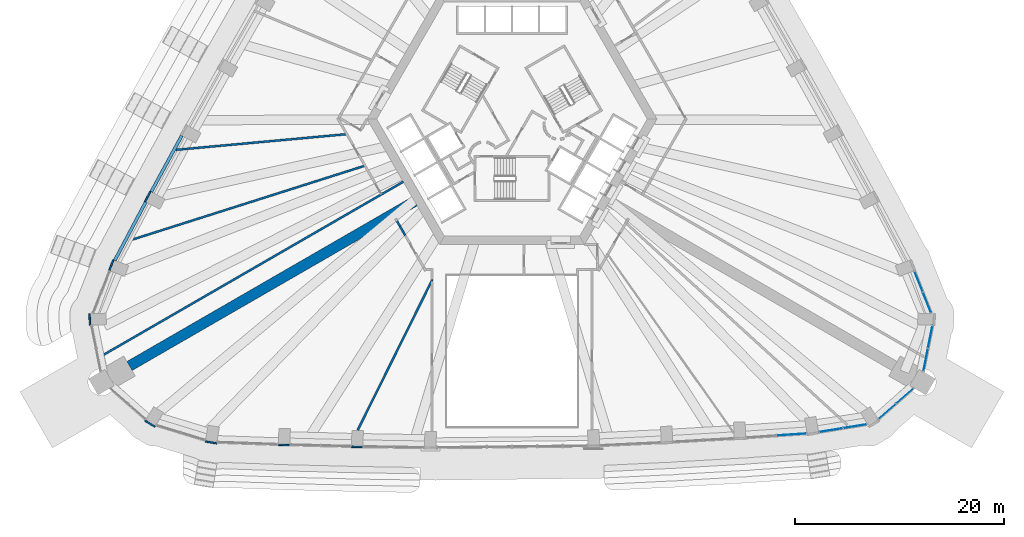
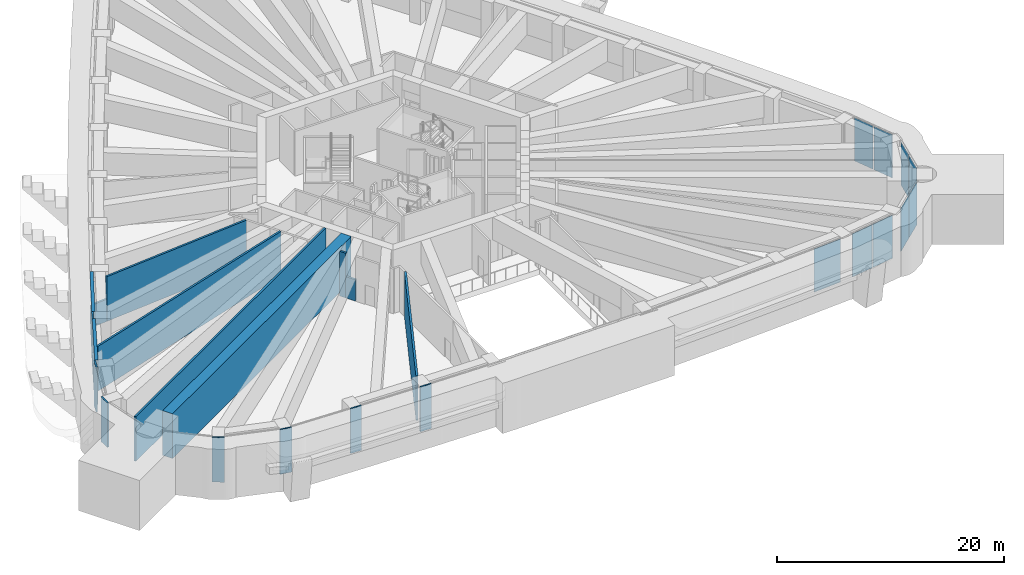
# One storey, part 8 of 22: 19 walls, 9 plates, 5 elements without a shape of their own.
"""IFC4 building model written with IfcOpenShell, lengths in metres."""

import ifcopenshell
import ifcopenshell.guid

model = None  # the IFC model being written
_history = None  # IfcOwnerHistory: only IFC2X3 demands one
_inside = {}  # id of a spatial element -> (the spatial element, [elements in it])
_under = {}  # id of a project, library or spatial element -> (it, [spatial elements below it])
_declared = {}  # id of a project -> (the project, [libraries it declares])
_typed = {}  # id of a type object -> (the type object, [elements of that type])
_made_of = {}  # id of a material, layer set ... -> (it, [elements and type objects made of it])


def new_model(schema):
    """Start an empty IFC model of exactly this schema.

    Asked for "IFC4X3", IfcOpenShell would pick the latest addendum, in which some entities
    have other attributes; the version numbers below select the first issue.
    IFC2X3 requires an IfcOwnerHistory on every rooted entity: one is made here for all.
    """
    global model, _history
    if schema == "IFC4X3":
        model = ifcopenshell.file(schema_version=(4, 3, 0, 0))
    else:
        model = ifcopenshell.file(schema=schema)
    _inside.clear()
    _under.clear()
    _declared.clear()
    _typed.clear()
    _made_of.clear()
    _history = None
    if model.schema == "IFC2X3":
        org = make("IfcOrganization", Name="unknown")
        user = make(
            "IfcPersonAndOrganization",
            ThePerson=make("IfcPerson", FamilyName="unknown"),
            TheOrganization=org,
        )
        app = make(
            "IfcApplication",
            ApplicationDeveloper=org,
            Version="unknown",
            ApplicationFullName="unknown",
            ApplicationIdentifier="unknown",
        )
        _history = make(
            "IfcOwnerHistory",
            OwningUser=user,
            OwningApplication=app,
            ChangeAction="ADDED",
            CreationDate=0,
        )
    return model


def make(cls, **values):
    """One entity of the class cls with the attributes given. An attribute that is None is left unset."""
    return model.create_entity(
        cls, **{name: value for name, value in values.items() if value is not None}
    )


def rooted(cls, **values):
    """An entity with a GlobalId (a new one), such as an element, a storey or a relation."""
    return make(cls, GlobalId=ifcopenshell.guid.new(), OwnerHistory=_history, **values)


def si_unit(unit_type, name, prefix=None):
    """IfcSIUnit, for example si_unit("LENGTHUNIT", "METRE", prefix="MILLI")."""
    return make("IfcSIUnit", UnitType=unit_type, Prefix=prefix, Name=name)


def assignment(units):
    """IfcUnitAssignment: the units of a project."""
    return None if units is None else make("IfcUnitAssignment", Units=units)


def point(xyz):
    """IfcCartesianPoint."""
    return None if xyz is None else make("IfcCartesianPoint", Coordinates=xyz)


def direction(xyz):
    """IfcDirection."""
    return None if xyz is None else make("IfcDirection", DirectionRatios=xyz)


def frame(location, z_axis=None, x_axis=None):
    """IfcAxis2Placement3D, a coordinate frame: its origin and axes. An axis left out is left unset."""
    return make(
        "IfcAxis2Placement3D",
        Location=point(location),
        Axis=direction(z_axis),
        RefDirection=direction(x_axis),
    )


def frame_2d(location, x_axis=None):
    """IfcAxis2Placement2D, a coordinate frame in the plane: its origin and x axis."""
    return make(
        "IfcAxis2Placement2D", Location=point(location), RefDirection=direction(x_axis)
    )


def origin():
    """The frame at (0, 0, 0) with its axes left unset."""
    return frame((0.0, 0.0, 0.0))


def origin_2d():
    """The frame at (0, 0) in the plane with its x axis left unset."""
    return frame_2d((0.0, 0.0))


def place(relative_to, where):
    """IfcLocalPlacement: puts the frame where relative to a parent placement (None: the world)."""
    return make(
        "IfcLocalPlacement", PlacementRelTo=relative_to, RelativePlacement=where
    )


def context(
    kind, dimensions, precision=None, world=None, true_north=None, identifier=None
):
    """IfcGeometricRepresentationContext, for example the 3D "Model" context."""
    return make(
        "IfcGeometricRepresentationContext",
        ContextIdentifier=identifier,
        ContextType=kind,
        CoordinateSpaceDimension=dimensions,
        Precision=precision,
        WorldCoordinateSystem=world,
        TrueNorth=true_north,
    )


def subcontext(parent, identifier, kind, view, scale=None):
    """IfcGeometricRepresentationSubContext, for example "Body" below "Model"."""
    return make(
        "IfcGeometricRepresentationSubContext",
        ContextIdentifier=identifier,
        ContextType=kind,
        ParentContext=parent,
        TargetScale=scale,
        TargetView=view,
    )


def project(units=None, contexts=None):
    """IfcProject with its units and contexts."""
    return rooted(
        "IfcProject",
        Name="project",
        RepresentationContexts=contexts,
        UnitsInContext=assignment(units),
    )


def spatial(cls, under=None, at=None, **own):
    """A site, building, storey or space (cls), placed at a placement, below another one or the project."""
    s = rooted(cls, ObjectPlacement=at, **own)
    if under is not None:
        _under.setdefault(under.id(), (under, []))[1].append(s)
    return s


def profile(cls, at=None, kind="AREA", **sizes):
    """A parametric profile (cls). Its sizes go by their IFC names, for example OverallWidth=200.0."""
    return make(cls, ProfileType=kind, Position=at, **sizes)


def rectangle(**sizes):
    """IfcRectangleProfileDef."""
    return profile("IfcRectangleProfileDef", **sizes)


def extrude(swept, where, along, depth):
    """IfcExtrudedAreaSolid: the profile swept, set in the frame where, extruded along a direction by depth."""
    return make(
        "IfcExtrudedAreaSolid",
        SweptArea=swept,
        Position=where,
        ExtrudedDirection=direction(along),
        Depth=depth,
    )


def shape(context_of_items, identifier, shape_type, items):
    """IfcShapeRepresentation: the items that make up one representation, for example the "Body"."""
    return make(
        "IfcShapeRepresentation",
        ContextOfItems=context_of_items,
        RepresentationIdentifier=identifier,
        RepresentationType=shape_type,
        Items=items,
    )


def material(Name=None, Category=None):
    """IfcMaterial."""
    return make("IfcMaterial", Name=Name, Category=Category)


def layer(
    of_material, thickness, ventilated=None, Name=None, Category=None, Priority=None
):
    """IfcMaterialLayer: one layer of a wall or slab, of a material (None: an air gap)."""
    return make(
        "IfcMaterialLayer",
        Material=of_material,
        LayerThickness=thickness,
        IsVentilated=ventilated,
        Name=Name,
        Category=Category,
        Priority=Priority,
    )


def layer_set(layers, Name=None):
    """IfcMaterialLayerSet."""
    return make("IfcMaterialLayerSet", MaterialLayers=layers, LayerSetName=Name)


def made_of(thing, what):
    """Note that an element or type object is made of a material, layer set ...; save() writes the relation."""
    if what is not None:
        _made_of.setdefault(what.id(), (what, []))[1].append(thing)
    return thing


def type_object(cls, material=None, **own):
    """A type object (cls), such as IfcWallType, which elements share."""
    return made_of(rooted(cls, **own), material)


def element(
    cls,
    number,
    at=None,
    inside=None,
    cuts=None,
    type_object=None,
    material=None,
    context=None,
    identifier="Body",
    shape_type=None,
    held_by="IfcProductDefinitionShape",
    body=None,
    shapes=None,
    **own,
):
    """One element of the class cls, such as IfcWall. Its Tag is "e" and its number.

    at: its placement. inside: the storey or other place that contains it. cuts: it is an
    opening in that element (IfcRelVoidsElement). A single representation is given by context,
    identifier, shape_type and body (its items); several are given by shapes. held_by: the class
    of the entity that holds the representations. save() writes the other relations.
    """
    e = rooted(cls, Tag="e%d" % number, ObjectPlacement=at, **own)
    if body is not None:
        shapes = [shape(context, identifier, shape_type, body)]
    if shapes is not None:
        e.Representation = make(held_by, Representations=shapes)
    if inside is not None:
        _inside.setdefault(inside.id(), (inside, []))[1].append(e)
    if cuts is not None:
        rooted(
            "IfcRelVoidsElement", RelatingBuildingElement=cuts, RelatedOpeningElement=e
        )
    if type_object is not None:
        _typed.setdefault(type_object.id(), (type_object, []))[1].append(e)
    return made_of(e, material)


def aggregate(whole, parts):
    """IfcRelAggregates: a whole, such as a stair, and the parts it consists of."""
    return rooted("IfcRelAggregates", RelatingObject=whole, RelatedObjects=parts)


def save(model, path):
    """Write the relations noted so far, then the file.

    IfcRelAggregates (storeys below a building ...), IfcRelContainedInSpatialStructure (elements
    in a storey), IfcRelDefinesByType, IfcRelAssociatesMaterial and IfcRelDeclares: one each for
    every whole, place, type object, material and project.
    """
    for whole, parts in _under.values():
        aggregate(whole, parts)
    for where, things in _inside.values():
        rooted(
            "IfcRelContainedInSpatialStructure",
            RelatedElements=things,
            RelatingStructure=where,
        )
    for kind, things in _typed.values():
        rooted("IfcRelDefinesByType", RelatedObjects=things, RelatingType=kind)
    for what, things in _made_of.values():
        rooted("IfcRelAssociatesMaterial", RelatedObjects=things, RelatingMaterial=what)
    for by, libraries in _declared.values():
        rooted("IfcRelDeclares", RelatingContext=by, RelatedDefinitions=libraries)
    model.write(path)


model = new_model("IFC4")

# Units and contexts
model_context = context("Model", 3, precision=1e-05, world=origin(), true_north=direction((0.0, 1.0)))
body_context = subcontext(model_context, "Body", "Model", "MODEL_VIEW")
ifc_project = project(units=[si_unit("LENGTHUNIT", "METRE"), si_unit("AREAUNIT", "SQUARE_METRE"), si_unit("VOLUMEUNIT", "CUBIC_METRE"), si_unit("PLANEANGLEUNIT", "RADIAN"), si_unit("MASSUNIT", "GRAM", prefix="KILO")], contexts=[model_context])

# Site, building, storey
site_placement = place(None, origin())
site = spatial("IfcSite", under=ifc_project, at=site_placement, CompositionType="ELEMENT")
building_placement = place(site_placement, origin())
building = spatial("IfcBuilding", under=site, at=building_placement, Name="Entoto Arch Interchange Tower", CompositionType="ELEMENT")
storey_placement = place(building_placement, frame((0.0, 0.0, 132.800048828125)))
storey = spatial("IfcBuildingStorey", under=building, at=storey_placement, Name="L29", CompositionType="ELEMENT", Elevation=132.800048828125)

# Curtain wall, plate
ifc_material_1 = material(Name="Aluminium, anodised", Category="aluminium")
curtain_wall_type = type_object("IfcCurtainWallType", Name="CURTAIN WALL SKY LOBBY", PredefinedType="NOTDEFINED", material=ifc_material_1)
curtain_wall_1_placement = place(storey_placement, origin())
curtain_wall_1 = element("IfcCurtainWall", 1, at=curtain_wall_1_placement, inside=storey, type_object=curtain_wall_type, Name="Sky Lobby glazing S-07 L29", PredefinedType="NOTDEFINED")
ifc_material_2 = material(Name="Clear glass, low-e double glazed", Category="glass")
ifc_layer_1 = layer(ifc_material_2, 0.030029296875)
ifc_layer_set_1 = layer_set([ifc_layer_1], Name="Clear glass, low-e double glazed")
plate_type = type_object("IfcPlateType", Name="GLAZING PANEL SKY LOBBY 30", PredefinedType="CURTAIN_PANEL", material=ifc_layer_set_1)
plate_1_placement = place(storey_placement, frame((26.718994140625, -27.65771484375, 0.06982421875), z_axis=(0.0, 0.0, 1.0), x_axis=(0.997726949273, 0.067386457793, 0.0)))
plate_1 = element("IfcPlate", 2, at=plate_1_placement, type_object=plate_type, Name="CWS panel 2.1", PredefinedType="CURTAIN_PANEL", context=body_context, shape_type="SweptSolid", body=[
    extrude(rectangle(XDim=2.810791015625, YDim=0.030029296875, at=origin_2d()), origin(), (0.0, 0.0, 1.0), 4.659912109375),
])
aggregate(curtain_wall_1, [plate_1])

# Curtain wall, plates
curtain_wall_2_placement = place(storey_placement, origin())
curtain_wall_2 = element("IfcCurtainWall", 3, at=curtain_wall_2_placement, inside=storey, type_object=curtain_wall_type, Name="Sky Lobby glazing SE-01 L29", PredefinedType="NOTDEFINED")
plate_2_placement = place(storey_placement, frame((30.49560546875, -27.23876953125, 0.06982421875), z_axis=(0.0, 0.0, 1.0), x_axis=(0.986969861588, 0.160905227752, 0.0)))
plate_2 = element("IfcPlate", 4, at=plate_2_placement, type_object=plate_type, Name="CWS panel 1.1", PredefinedType="CURTAIN_PANEL", context=body_context, shape_type="SweptSolid", body=[
    extrude(rectangle(XDim=2.23291015625, YDim=0.030029296875, at=origin_2d()), origin(), (0.0, 0.0, 1.0), 4.659912109375),
])
plate_3_placement = place(storey_placement, frame((32.788330078125, -26.865234375, 0.06982421875), z_axis=(0.0, 0.0, 1.0), x_axis=(0.986969861588, 0.160905227752, 0.0)))
plate_3 = element("IfcPlate", 5, at=plate_3_placement, type_object=plate_type, Name="CWS panel 2.1", PredefinedType="CURTAIN_PANEL", context=body_context, shape_type="SweptSolid", body=[
    extrude(rectangle(XDim=2.23291015625, YDim=0.030029296875, at=origin_2d()), origin(), (0.0, 0.0, 1.0), 4.659912109375),
])
aggregate(curtain_wall_2, [plate_2, plate_3])

curtain_wall_3_placement = place(storey_placement, origin())
curtain_wall_3 = element("IfcCurtainWall", 6, at=curtain_wall_3_placement, inside=storey, type_object=curtain_wall_type, Name="Sky Lobby glazing SE-02 L29", PredefinedType="NOTDEFINED")
plate_4_placement = place(storey_placement, frame((35.863525390625, -25.449951171875, 0.06982421875), z_axis=(0.0, 0.0, 1.0), x_axis=(0.752277018014, 0.658846938346, 0.0)))
plate_4 = element("IfcPlate", 7, at=plate_4_placement, type_object=plate_type, Name="CWS panel 1.1", PredefinedType="CURTAIN_PANEL", context=body_context, shape_type="SweptSolid", body=[
    extrude(rectangle(XDim=2.139404296875, YDim=0.030029296875, at=origin_2d()), origin(), (0.0, 0.0, 1.0), 4.659912109375),
])
plate_5_placement = place(storey_placement, frame((37.54052734375, -23.98095703125, 0.06982421875), z_axis=(0.0, 0.0, 1.0), x_axis=(0.752277018014, 0.658846938346, 0.0)))
plate_5 = element("IfcPlate", 8, at=plate_5_placement, type_object=plate_type, Name="CWS panel 2.1", PredefinedType="CURTAIN_PANEL", context=body_context, shape_type="SweptSolid", body=[
    extrude(rectangle(XDim=2.139404296875, YDim=0.030029296875, at=origin_2d()), origin(), (0.0, 0.0, 1.0), 4.659912109375),
])
aggregate(curtain_wall_3, [plate_4, plate_5])

curtain_wall_4_placement = place(storey_placement, origin())
curtain_wall_4 = element("IfcCurtainWall", 9, at=curtain_wall_4_placement, inside=storey, type_object=curtain_wall_type, Name="Sky Lobby glazing SE-03 L29", PredefinedType="NOTDEFINED")
plate_6_placement = place(storey_placement, frame((39.538818359375, -20.522216796875, 0.06982421875), z_axis=(0.0, 0.0, 1.0), x_axis=(0.194721206815, 0.980858629781, 0.0)))
plate_6 = element("IfcPlate", 10, at=plate_6_placement, type_object=plate_type, Name="CWS panel 1.1", PredefinedType="CURTAIN_PANEL", context=body_context, shape_type="SweptSolid", body=[
    extrude(rectangle(XDim=2.14013671875, YDim=0.030029296875, at=origin_2d()), origin(), (0.0, 0.0, 1.0), 4.659912109375),
])
plate_7_placement = place(storey_placement, frame((39.97314453125, -18.334716796875, 0.06982421875), z_axis=(0.0, 0.0, 1.0), x_axis=(0.194721206815, 0.980858629781, 0.0)))
plate_7 = element("IfcPlate", 11, at=plate_7_placement, type_object=plate_type, Name="CWS panel 2.1", PredefinedType="CURTAIN_PANEL", context=body_context, shape_type="SweptSolid", body=[
    extrude(rectangle(XDim=2.14013671875, YDim=0.030029296875, at=origin_2d()), origin(), (0.0, 0.0, 1.0), 4.659912109375),
])
aggregate(curtain_wall_4, [plate_6, plate_7])

curtain_wall_5_placement = place(storey_placement, origin())
curtain_wall_5 = element("IfcCurtainWall", 12, at=curtain_wall_5_placement, inside=storey, type_object=curtain_wall_type, Name="Sky Lobby glazing SE-04 L29", PredefinedType="NOTDEFINED")
plate_8_placement = place(storey_placement, frame((39.662841796875, -15.0498046875, 0.06982421875), z_axis=(0.0, 0.0, 1.0), x_axis=(-0.369232347148, 0.929337115271, 0.0)))
plate_8 = element("IfcPlate", 13, at=plate_8_placement, type_object=plate_type, Name="CWS panel 1.1", PredefinedType="CURTAIN_PANEL", context=body_context, shape_type="SweptSolid", body=[
    extrude(rectangle(XDim=2.062744140625, YDim=0.030029296875, at=origin_2d()), origin(), (0.0, 0.0, 1.0), 4.659912109375),
])
plate_9_placement = place(storey_placement, frame((38.8681640625, -13.049072265625, 0.06982421875), z_axis=(0.0, 0.0, 1.0), x_axis=(-0.369232347148, 0.929337115271, 0.0)))
plate_9 = element("IfcPlate", 14, at=plate_9_placement, type_object=plate_type, Name="CWS panel 2.1", PredefinedType="CURTAIN_PANEL", context=body_context, shape_type="SweptSolid", body=[
    extrude(rectangle(XDim=2.062744140625, YDim=0.030029296875, at=origin_2d()), origin(), (0.0, 0.0, 1.0), 4.659912109375),
])
aggregate(curtain_wall_5, [plate_8, plate_9])

# Walls
ifc_material_3 = material(Name="Concrete C60/75", Category="concrete")
ifc_layer_2 = layer(ifc_material_3, 1.0)
ifc_layer_set_2 = layer_set([ifc_layer_2], Name="Concrete C60/75")
wall_type_1 = type_object("IfcWallType", Name="Outrigger wall 1000 C60/75", PredefinedType="SHEAR", material=ifc_layer_set_2)
wall_1_placement = place(storey_placement, frame((-9.31005859375, -5.375, 0.0), z_axis=(0.0, 0.0, 1.0), x_axis=(-0.86602173752, -0.500006350103, 0.0)))
element("IfcWall", 15, at=wall_1_placement, inside=storey, type_object=wall_type_1, Name="Outrigger wall SW L29", PredefinedType="SHEAR", context=body_context, shape_type="SweptSolid", body=[
    extrude(rectangle(XDim=31.46337890625, YDim=1.0, at=frame_2d((15.731689453125, 0.0))), origin(), (0.0, 0.0, 1.0), 4.800048828125),
])
ifc_material_4 = material(Name="Gypsum board partition on steel studs", Category="steel")
ifc_layer_3 = layer(ifc_material_4, 0.199951171875)
ifc_layer_set_3 = layer_set([ifc_layer_3], Name="Gypsum board partition on steel studs")
wall_type_2 = type_object("IfcWallType", Name="PARTITION 200", PredefinedType="PARTITIONING", material=ifc_layer_set_3)
wall_2_placement = place(storey_placement, frame((-7.60595703125, -12.8359375, 0.0), z_axis=(0.0, 0.0, 1.0), x_axis=(-0.444253710324, -0.895901021801, 0.0)))
element("IfcWall", 16, at=wall_2_placement, inside=storey, type_object=wall_type_2, Name="wall:L29:p043", PredefinedType="PARTITIONING", context=body_context, shape_type="SweptSolid", body=[
    extrude(rectangle(XDim=16.0810546875, YDim=0.199951171875, at=frame_2d((8.04052734375, 0.0))), origin(), (0.0, 0.0, 1.0), 4.800048828125),
])
wall_3_placement = place(storey_placement, frame((-39.35791015625, -20.222900390625, 0.0), z_axis=(0.0, 0.0, 1.0), x_axis=(0.866032184561, 0.499988255166, 0.0)))
element("IfcWall", 17, at=wall_3_placement, inside=storey, type_object=wall_type_2, Name="wall:L29:p044", PredefinedType="PARTITIONING", context=body_context, shape_type="SweptSolid", body=[
    extrude(rectangle(XDim=33.446533203125, YDim=0.199951171875, at=frame_2d((16.72314453125, 0.0))), origin(), (0.0, 0.0, 1.0), 4.800048828125),
])
wall_4_placement = place(storey_placement, frame((-15.791015625, 1.051025390625, 0.0), z_axis=(0.0, 0.0, 1.0), x_axis=(-0.995814925951, -0.091392741793, 0.0)))
element("IfcWall", 18, at=wall_4_placement, inside=storey, type_object=wall_type_2, Name="wall:L29:p071", PredefinedType="PARTITIONING", context=body_context, shape_type="SweptSolid", body=[
    extrude(rectangle(XDim=15.076904296875, YDim=0.199951171875, at=frame_2d((7.53857421875, 0.0))), origin(), (0.0, 0.0, 1.0), 4.800048828125),
])
wall_5_placement = place(storey_placement, frame((-14.051025390625, -1.962890625, 0.0), z_axis=(0.0, 0.0, 1.0), x_axis=(-0.953071469252, -0.302745395504, 0.0)))
element("IfcWall", 19, at=wall_5_placement, inside=storey, type_object=wall_type_2, Name="wall:L29:p072", PredefinedType="PARTITIONING", context=body_context, shape_type="SweptSolid", body=[
    extrude(rectangle(XDim=23.90478515625, YDim=0.199951171875, at=frame_2d((11.952392578125, 0.0))), origin(), (0.0, 0.0, 1.0), 4.800048828125),
])
wall_6_placement = place(storey_placement, frame((-10.199951171875, -8.632080078125, 0.0), z_axis=(0.0, 0.0, 1.0), x_axis=(-0.500482758314, 0.865746503678, 0.0)))
element("IfcWall", 20, at=wall_6_placement, inside=storey, type_object=wall_type_2, Name="wall:L29:p037", PredefinedType="PARTITIONING", context=body_context, shape_type="SweptSolid", body=[
    extrude(rectangle(XDim=0.9912109375, YDim=0.199951171875, at=frame_2d((0.49560546875, 0.0))), origin(), (0.0, 0.0, 1.0), 2.300048828125),
])
wall_7_placement = place(storey_placement, frame((-10.696044921875, -7.77392578125, 0.0), z_axis=(0.0, 0.0, 1.0), x_axis=(-0.49972245349, 0.866185586049, 0.0)))
element("IfcWall", 21, at=wall_7_placement, inside=storey, type_object=wall_type_2, Name="wall:L29:p037", PredefinedType="PARTITIONING", context=body_context, shape_type="SweptSolid", body=[
    extrude(rectangle(XDim=0.608154296875, YDim=0.199951171875, at=frame_2d((0.30419921875, 0.0))), origin(), (0.0, 0.0, 1.0), 4.800048828125),
])
wall_8_placement = place(storey_placement, frame((-30.804931640625, -0.326904296875, 0.0), z_axis=(0.0, 0.0, 1.0), x_axis=(-0.995790394256, -0.09165964601, 0.0)))
element("IfcWall", 22, at=wall_8_placement, inside=storey, type_object=wall_type_2, Name="wall:L29:p071", PredefinedType="PARTITIONING", context=body_context, shape_type="SweptSolid", body=[
    extrude(rectangle(XDim=1.331787109375, YDim=0.199951171875, at=frame_2d((0.666015625, 0.0))), origin(), (0.0, 0.0, 1.0), 2.39990234375),
])
ifc_material_5 = material(Name="Board-marked precast concrete C50/60", Category="concrete")
ifc_layer_4 = layer(ifc_material_5, 0.14990234375)
ifc_layer_set_4 = layer_set([ifc_layer_4], Name="Board-marked precast concrete C50/60")
wall_type_3 = type_object("IfcWallType", Name="PRECAST FRAME WALL 150", PredefinedType="STANDARD", material=ifc_layer_set_4)
wall_9_placement = place(storey_placement, frame((-34.552001953125, -4.419921875, 0.0), z_axis=(0.0, 0.0, 1.0), x_axis=(-0.469274244365, -0.883052480646, 0.0)))
element("IfcWall", 23, at=wall_9_placement, inside=storey, type_object=wall_type_3, Name="Frame pier NW08 L29", PredefinedType="STANDARD", context=body_context, shape_type="SweptSolid", body=[
    extrude(rectangle(XDim=1.099853515625, YDim=0.14990234375, at=frame_2d((0.5498046875, 0.0))), origin(), (0.0, 0.0, 1.0), 4.800048828125),
])
for number, where, z_axis, x_axis, name in (
    (24, (-38.10791015625, -10.962890625, 0.0), (0.0, 0.0, 1.0), (-0.347133743566, -0.937815634375, 0.0), "Frame pier NW09 L29"),
    (25, (-29.31396484375, -28.31689453125, 0.0), (0.0, 0.0, 1.0), (0.985763338892, -0.168138751323, 0.0), "Frame pier S01 L29"),
):
    element("IfcWall", number, at=place(storey_placement, frame(where, z_axis=z_axis, x_axis=x_axis)), inside=storey, type_object=wall_type_3, Name=name, PredefinedType="STANDARD", context=body_context, shape_type="SweptSolid", body=[
        extrude(rectangle(XDim=1.1005859375, YDim=0.14990234375, at=frame_2d((0.55029296875, 0.0))), origin(), (0.0, 0.0, 1.0), 4.800048828125),
    ])
wall_10_placement = place(storey_placement, frame((-22.3359375, -28.638916015625, 0.0), z_axis=(0.0, 0.0, 1.0), x_axis=(0.999368780235, -0.035525217693, 0.0)))
element("IfcWall", 26, at=wall_10_placement, inside=storey, type_object=wall_type_3, Name="Frame pier S02 L29", PredefinedType="STANDARD", context=body_context, shape_type="SweptSolid", body=[
    extrude(rectangle(XDim=1.099609375, YDim=0.14990234375, at=frame_2d((0.5498046875, 0.0))), origin(), (0.0, 0.0, 1.0), 4.800048828125),
])
wall_11_placement = place(storey_placement, frame((-15.343017578125, -28.824951171875, 0.0), z_axis=(0.0, 0.0, 1.0), x_axis=(0.999718180159, -0.023739424163, 0.0)))
element("IfcWall", 27, at=wall_11_placement, inside=storey, type_object=wall_type_3, Name="Frame pier S03 L29", PredefinedType="STANDARD", context=body_context, shape_type="SweptSolid", body=[
    extrude(rectangle(XDim=1.100341796875, YDim=0.14990234375, at=frame_2d((0.55029296875, 0.0))), origin(), (0.0, 0.0, 1.0), 4.800048828125),
])
wall_12_placement = place(storey_placement, frame((-40.3720703125, -16.09912109375, 0.0), z_axis=(0.0, 0.0, 1.0), x_axis=(0.023744690764, -0.999718055084, 0.0)))
element("IfcWall", 28, at=wall_12_placement, inside=storey, type_object=wall_type_3, Name="Frame pier SW1 L29", PredefinedType="STANDARD", context=body_context, shape_type="SweptSolid", body=[
    extrude(rectangle(XDim=1.10009765625, YDim=0.14990234375, at=frame_2d((0.550048828125, 0.0))), origin(), (0.0, 0.0, 1.0), 4.800048828125),
])
wall_13_placement = place(storey_placement, frame((-35.06689453125, -26.341064453125, 0.0), z_axis=(0.0, 0.0, 1.0), x_axis=(0.854245682901, -0.519869515594, 0.0)))
element("IfcWall", 29, at=wall_13_placement, inside=storey, type_object=wall_type_3, Name="Frame pier SW3 L29", PredefinedType="STANDARD", context=body_context, shape_type="SweptSolid", body=[
    extrude(rectangle(XDim=1.100341796875, YDim=0.14990234375, at=frame_2d((0.55029296875, 0.0))), origin(), (0.0, 0.0, 1.0), 4.800048828125),
])
ifc_layer_5 = layer(ifc_material_5, 0.300048828125)
ifc_layer_set_5 = layer_set([ifc_layer_5], Name="Board-marked precast concrete C50/60")
wall_type_4 = type_object("IfcWallType", Name="PRECAST FRAME WALL 300", PredefinedType="STANDARD", material=ifc_layer_set_5)
wall_14_placement = place(storey_placement, frame((-31.55810546875, 0.91796875, 0.0), z_axis=(0.0, 0.0, 1.0), x_axis=(-0.477655263247, -0.878547351879, 0.0)))
element("IfcWall", 30, at=wall_14_placement, inside=storey, type_object=wall_type_4, Name="Frame sill wall NW-07 L29", PredefinedType="STANDARD", context=body_context, shape_type="SweptSolid", body=[
    extrude(rectangle(XDim=6.119140625, YDim=0.300048828125, at=frame_2d((3.0595703125, 0.0))), origin(), (0.0, 0.0, 1.0), 1.199951171875),
])
wall_15_placement = place(storey_placement, frame((-31.55810546875, 0.91796875, 4.0), z_axis=(0.0, 0.0, 1.0), x_axis=(-0.477655263247, -0.878547351879, 0.0)))
element("IfcWall", 31, at=wall_15_placement, inside=storey, type_object=wall_type_4, Name="Frame head wall NW-07 L29", PredefinedType="STANDARD", context=body_context, shape_type="SweptSolid", body=[
    extrude(rectangle(XDim=6.119140625, YDim=0.300048828125, at=frame_2d((3.0595703125, 0.0))), origin(), (0.0, 0.0, 1.0), 0.800048828125),
])
wall_16_placement = place(storey_placement, frame((-35.0009765625, -5.425048828125, 0.0), z_axis=(0.0, 0.0, 1.0), x_axis=(-0.468639020107, -0.88338976043, 0.0)))
element("IfcWall", 32, at=wall_16_placement, inside=storey, type_object=wall_type_4, Name="Frame sill wall NW-08 L29", PredefinedType="STANDARD", context=body_context, shape_type="SweptSolid", body=[
    extrude(rectangle(XDim=6.3291015625, YDim=0.300048828125, at=frame_2d((3.16455078125, 0.0))), origin(), (0.0, 0.0, 1.0), 1.199951171875),
])
wall_17_placement = place(storey_placement, frame((-35.0009765625, -5.425048828125, 4.0), z_axis=(0.0, 0.0, 1.0), x_axis=(-0.468639020107, -0.88338976043, 0.0)))
element("IfcWall", 33, at=wall_17_placement, inside=storey, type_object=wall_type_4, Name="Frame head wall NW-08 L29", PredefinedType="STANDARD", context=body_context, shape_type="SweptSolid", body=[
    extrude(rectangle(XDim=6.3291015625, YDim=0.300048828125, at=frame_2d((3.16455078125, 0.0))), origin(), (0.0, 0.0, 1.0), 0.800048828125),
])

save(model, "model.ifc")
